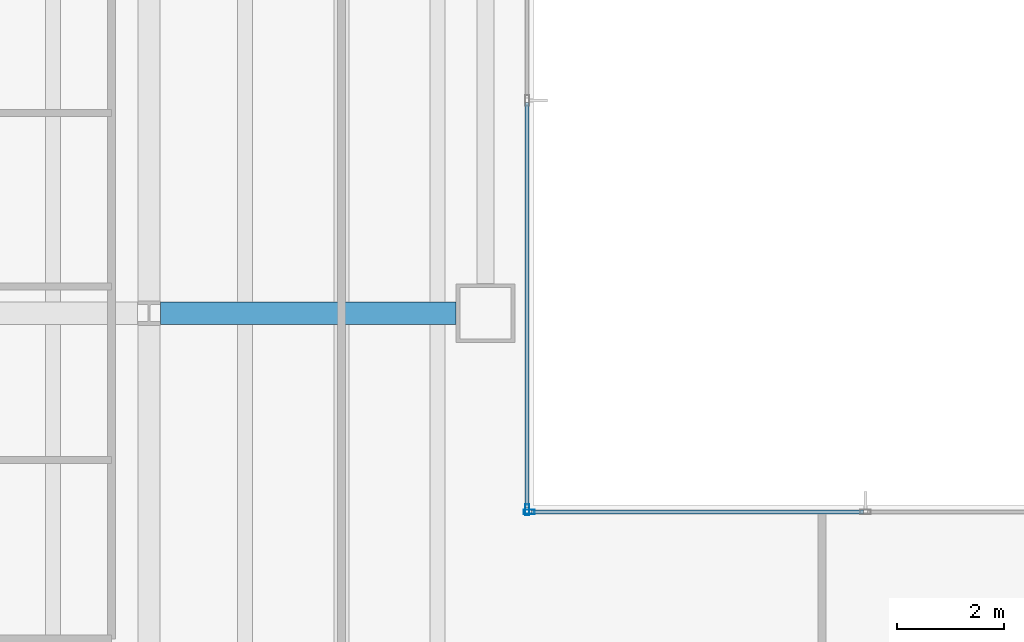
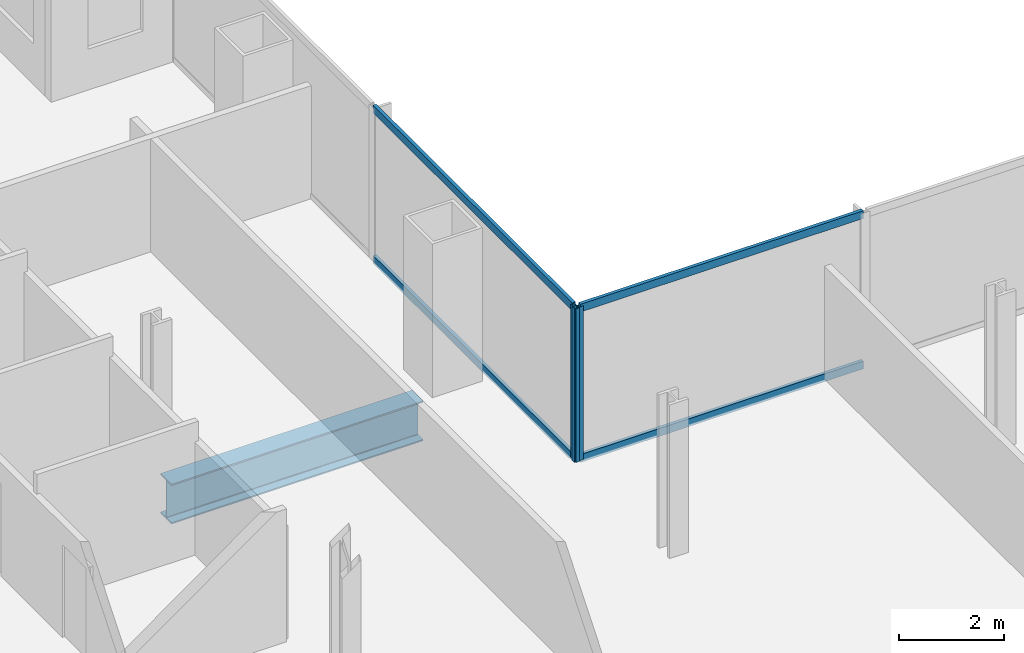
# One storey, part 6 of 25: 6 members, 1 beam, 2 elements without a shape of their own.
"""IFC4 building model written with IfcOpenShell, lengths in metres."""

import ifcopenshell
import ifcopenshell.guid

model = None  # the IFC model being written
_history = None  # IfcOwnerHistory: only IFC2X3 demands one
_inside = {}  # id of a spatial element -> (the spatial element, [elements in it])
_under = {}  # id of a project, library or spatial element -> (it, [spatial elements below it])
_declared = {}  # id of a project -> (the project, [libraries it declares])
_typed = {}  # id of a type object -> (the type object, [elements of that type])
_made_of = {}  # id of a material, layer set ... -> (it, [elements and type objects made of it])


def new_model(schema):
    """Start an empty IFC model of exactly this schema.

    Asked for "IFC4X3", IfcOpenShell would pick the latest addendum, in which some entities
    have other attributes; the version numbers below select the first issue.
    IFC2X3 requires an IfcOwnerHistory on every rooted entity: one is made here for all.
    """
    global model, _history
    if schema == "IFC4X3":
        model = ifcopenshell.file(schema_version=(4, 3, 0, 0))
    else:
        model = ifcopenshell.file(schema=schema)
    _inside.clear()
    _under.clear()
    _declared.clear()
    _typed.clear()
    _made_of.clear()
    _history = None
    if model.schema == "IFC2X3":
        org = make("IfcOrganization", Name="unknown")
        user = make(
            "IfcPersonAndOrganization",
            ThePerson=make("IfcPerson", FamilyName="unknown"),
            TheOrganization=org,
        )
        app = make(
            "IfcApplication",
            ApplicationDeveloper=org,
            Version="unknown",
            ApplicationFullName="unknown",
            ApplicationIdentifier="unknown",
        )
        _history = make(
            "IfcOwnerHistory",
            OwningUser=user,
            OwningApplication=app,
            ChangeAction="ADDED",
            CreationDate=0,
        )
    return model


def make(cls, **values):
    """One entity of the class cls with the attributes given. An attribute that is None is left unset."""
    return model.create_entity(
        cls, **{name: value for name, value in values.items() if value is not None}
    )


def rooted(cls, **values):
    """An entity with a GlobalId (a new one), such as an element, a storey or a relation."""
    return make(cls, GlobalId=ifcopenshell.guid.new(), OwnerHistory=_history, **values)


def si_unit(unit_type, name, prefix=None):
    """IfcSIUnit, for example si_unit("LENGTHUNIT", "METRE", prefix="MILLI")."""
    return make("IfcSIUnit", UnitType=unit_type, Prefix=prefix, Name=name)


def assignment(units):
    """IfcUnitAssignment: the units of a project."""
    return None if units is None else make("IfcUnitAssignment", Units=units)


def point(xyz):
    """IfcCartesianPoint."""
    return None if xyz is None else make("IfcCartesianPoint", Coordinates=xyz)


def direction(xyz):
    """IfcDirection."""
    return None if xyz is None else make("IfcDirection", DirectionRatios=xyz)


def frame(location, z_axis=None, x_axis=None):
    """IfcAxis2Placement3D, a coordinate frame: its origin and axes. An axis left out is left unset."""
    return make(
        "IfcAxis2Placement3D",
        Location=point(location),
        Axis=direction(z_axis),
        RefDirection=direction(x_axis),
    )


def frame_2d(location, x_axis=None):
    """IfcAxis2Placement2D, a coordinate frame in the plane: its origin and x axis."""
    return make(
        "IfcAxis2Placement2D", Location=point(location), RefDirection=direction(x_axis)
    )


def origin():
    """The frame at (0, 0, 0) with its axes left unset."""
    return frame((0.0, 0.0, 0.0))


def origin_2d():
    """The frame at (0, 0) in the plane with its x axis left unset."""
    return frame_2d((0.0, 0.0))


def place(relative_to, where):
    """IfcLocalPlacement: puts the frame where relative to a parent placement (None: the world)."""
    return make(
        "IfcLocalPlacement", PlacementRelTo=relative_to, RelativePlacement=where
    )


def context(
    kind, dimensions, precision=None, world=None, true_north=None, identifier=None
):
    """IfcGeometricRepresentationContext, for example the 3D "Model" context."""
    return make(
        "IfcGeometricRepresentationContext",
        ContextIdentifier=identifier,
        ContextType=kind,
        CoordinateSpaceDimension=dimensions,
        Precision=precision,
        WorldCoordinateSystem=world,
        TrueNorth=true_north,
    )


def subcontext(parent, identifier, kind, view, scale=None):
    """IfcGeometricRepresentationSubContext, for example "Body" below "Model"."""
    return make(
        "IfcGeometricRepresentationSubContext",
        ContextIdentifier=identifier,
        ContextType=kind,
        ParentContext=parent,
        TargetScale=scale,
        TargetView=view,
    )


def project(units=None, contexts=None):
    """IfcProject with its units and contexts."""
    return rooted(
        "IfcProject",
        Name="project",
        RepresentationContexts=contexts,
        UnitsInContext=assignment(units),
    )


def spatial(cls, under=None, at=None, **own):
    """A site, building, storey or space (cls), placed at a placement, below another one or the project."""
    s = rooted(cls, ObjectPlacement=at, **own)
    if under is not None:
        _under.setdefault(under.id(), (under, []))[1].append(s)
    return s


def profile(cls, at=None, kind="AREA", **sizes):
    """A parametric profile (cls). Its sizes go by their IFC names, for example OverallWidth=200.0."""
    return make(cls, ProfileType=kind, Position=at, **sizes)


def hollow_rectangle(**sizes):
    """IfcRectangleHollowProfileDef."""
    return profile("IfcRectangleHollowProfileDef", **sizes)


def i_section(**sizes):
    """IfcIShapeProfileDef."""
    return profile("IfcIShapeProfileDef", **sizes)


def extrude(swept, where, along, depth):
    """IfcExtrudedAreaSolid: the profile swept, set in the frame where, extruded along a direction by depth."""
    return make(
        "IfcExtrudedAreaSolid",
        SweptArea=swept,
        Position=where,
        ExtrudedDirection=direction(along),
        Depth=depth,
    )


def shape(context_of_items, identifier, shape_type, items):
    """IfcShapeRepresentation: the items that make up one representation, for example the "Body"."""
    return make(
        "IfcShapeRepresentation",
        ContextOfItems=context_of_items,
        RepresentationIdentifier=identifier,
        RepresentationType=shape_type,
        Items=items,
    )


def material(Name=None, Category=None):
    """IfcMaterial."""
    return make("IfcMaterial", Name=Name, Category=Category)


def material_profile(
    of_material, cross_section, Name=None, Category=None, Priority=None
):
    """IfcMaterialProfile: a cross section and its material."""
    return make(
        "IfcMaterialProfile",
        Name=Name,
        Material=of_material,
        Profile=cross_section,
        Priority=Priority,
        Category=Category,
    )


def profile_set(profiles, Name=None, composite=None):
    """IfcMaterialProfileSet."""
    return make(
        "IfcMaterialProfileSet",
        Name=Name,
        MaterialProfiles=profiles,
        CompositeProfile=composite,
    )


def made_of(thing, what):
    """Note that an element or type object is made of a material, layer set ...; save() writes the relation."""
    if what is not None:
        _made_of.setdefault(what.id(), (what, []))[1].append(thing)
    return thing


def type_object(cls, material=None, **own):
    """A type object (cls), such as IfcWallType, which elements share."""
    return made_of(rooted(cls, **own), material)


def element(
    cls,
    number,
    at=None,
    inside=None,
    cuts=None,
    type_object=None,
    material=None,
    context=None,
    identifier="Body",
    shape_type=None,
    held_by="IfcProductDefinitionShape",
    body=None,
    shapes=None,
    **own,
):
    """One element of the class cls, such as IfcWall. Its Tag is "e" and its number.

    at: its placement. inside: the storey or other place that contains it. cuts: it is an
    opening in that element (IfcRelVoidsElement). A single representation is given by context,
    identifier, shape_type and body (its items); several are given by shapes. held_by: the class
    of the entity that holds the representations. save() writes the other relations.
    """
    e = rooted(cls, Tag="e%d" % number, ObjectPlacement=at, **own)
    if body is not None:
        shapes = [shape(context, identifier, shape_type, body)]
    if shapes is not None:
        e.Representation = make(held_by, Representations=shapes)
    if inside is not None:
        _inside.setdefault(inside.id(), (inside, []))[1].append(e)
    if cuts is not None:
        rooted(
            "IfcRelVoidsElement", RelatingBuildingElement=cuts, RelatedOpeningElement=e
        )
    if type_object is not None:
        _typed.setdefault(type_object.id(), (type_object, []))[1].append(e)
    return made_of(e, material)


def aggregate(whole, parts):
    """IfcRelAggregates: a whole, such as a stair, and the parts it consists of."""
    return rooted("IfcRelAggregates", RelatingObject=whole, RelatedObjects=parts)


def save(model, path):
    """Write the relations noted so far, then the file.

    IfcRelAggregates (storeys below a building ...), IfcRelContainedInSpatialStructure (elements
    in a storey), IfcRelDefinesByType, IfcRelAssociatesMaterial and IfcRelDeclares: one each for
    every whole, place, type object, material and project.
    """
    for whole, parts in _under.values():
        aggregate(whole, parts)
    for where, things in _inside.values():
        rooted(
            "IfcRelContainedInSpatialStructure",
            RelatedElements=things,
            RelatingStructure=where,
        )
    for kind, things in _typed.values():
        rooted("IfcRelDefinesByType", RelatedObjects=things, RelatingType=kind)
    for what, things in _made_of.values():
        rooted("IfcRelAssociatesMaterial", RelatedObjects=things, RelatingMaterial=what)
    for by, libraries in _declared.values():
        rooted("IfcRelDeclares", RelatingContext=by, RelatedDefinitions=libraries)
    model.write(path)


model = new_model("IFC4")

# Units and contexts
model_context = context("Model", 3, precision=1e-05, world=origin(), true_north=direction((0.0, 1.0)))
body_context = subcontext(model_context, "Body", "Model", "MODEL_VIEW")
ifc_project = project(units=[si_unit("LENGTHUNIT", "METRE"), si_unit("AREAUNIT", "SQUARE_METRE"), si_unit("VOLUMEUNIT", "CUBIC_METRE"), si_unit("PLANEANGLEUNIT", "RADIAN"), si_unit("MASSUNIT", "GRAM", prefix="KILO")], contexts=[model_context])

# Site, building, storey
site_placement = place(None, origin())
site = spatial("IfcSite", under=ifc_project, at=site_placement, CompositionType="ELEMENT")
building_placement = place(site_placement, origin())
building = spatial("IfcBuilding", under=site, at=building_placement, Name="Cobrela Telecom Tower", CompositionType="ELEMENT")
storey_placement = place(building_placement, frame((0.0, 0.0, 35.0)))
storey = spatial("IfcBuildingStorey", under=building, at=storey_placement, Name="L08", CompositionType="ELEMENT", Elevation=35.0)

# Beam
ifc_material_1 = material(Name="Steel ASTM A992 Grade 50", Category="steel")
ifc_material_profile_1 = material_profile(ifc_material_1, i_section(OverallWidth=0.4189453125, OverallDepth=0.927001953125, WebThickness=0.019287109375, FlangeThickness=0.031982421875, FilletRadius=0.02392578125, at=origin_2d()), Name="W36X231")
ifc_profile_set_1 = profile_set([ifc_material_profile_1], Name="Steel ASTM A992 Grade 50")
beam_type = type_object("IfcBeamType", Name="BM-GIRD-02", PredefinedType="USERDEFINED", material=ifc_profile_set_1)
beam_placement = place(storey_placement, frame((21.81591796875, 28.800048828125, -0.743408203125), z_axis=(1.0, 0.0, 0.0), x_axis=(0.0, 1.0, 0.0)))
element("IfcBeam", 1, at=beam_placement, inside=storey, type_object=beam_type, Name="L08 Primary Girder X24", ObjectType="GIRDER", PredefinedType="USERDEFINED", context=body_context, shape_type="SweptSolid", body=[
    extrude(i_section(OverallWidth=0.4189453125, OverallDepth=0.927001953125, WebThickness=0.019287109375, FlangeThickness=0.031982421875, FilletRadius=0.02392578125, at=origin_2d()), origin(), (0.0, 0.0, 1.0), 5.529052734375),
])

# Curtain wall, member
ifc_material_2 = material(Name="Anodized Bronze Aluminium 6063-T6", Category="aluminium")
curtain_wall_type = type_object("IfcCurtainWallType", Name="CW-SYS-DATA", PredefinedType="USERDEFINED", material=ifc_material_2)
curtain_wall_1_placement = place(storey_placement, origin())
curtain_wall_1 = element("IfcCurtainWall", 2, at=curtain_wall_1_placement, inside=storey, type_object=curtain_wall_type, Name="L08 Unitised Bronze Curtain Wall 10", ObjectType="UNITISED CURTAIN WALL", PredefinedType="USERDEFINED")
ifc_material_profile_2 = material_profile(ifc_material_2, hollow_rectangle(XDim=0.080078125, YDim=0.199951171875, WallThickness=0.00390625, at=origin_2d()), Name="ALU 80x200x4")
ifc_profile_set_2 = profile_set([ifc_material_profile_2], Name="Anodized Bronze Aluminium 6063-T6")
member_type_1 = type_object("IfcMemberType", Name="CW-SYS-DATA-MUL", PredefinedType="MULLION", material=ifc_profile_set_2)
member_1_placement = place(storey_placement, frame((28.679931640625, 25.1201171875, 0.0), z_axis=(0.0, 0.0, 1.0), x_axis=(1.0, 0.0, 0.0)))
member_1 = element("IfcMember", 3, at=member_1_placement, type_object=member_type_1, Name="CW-DATA mullion 3", PredefinedType="MULLION", context=body_context, shape_type="SweptSolid", body=[
    extrude(hollow_rectangle(XDim=0.080078125, YDim=0.199951171875, WallThickness=0.00390625, at=origin_2d()), origin(), (0.0, 0.0, 1.0), 3.570068359375),
])

curtain_wall_2_placement = place(storey_placement, origin())
curtain_wall_2 = element("IfcCurtainWall", 4, at=curtain_wall_2_placement, inside=storey, type_object=curtain_wall_type, Name="L08 Unitised Bronze Curtain Wall 11", ObjectType="UNITISED CURTAIN WALL", PredefinedType="USERDEFINED")
member_2_placement = place(storey_placement, frame((28.719970703125, 25.080078125, 0.0), z_axis=(0.0, 0.0, 1.0), x_axis=(0.0, 1.0, 0.0)))
member_2 = element("IfcMember", 5, at=member_2_placement, type_object=member_type_1, Name="CW-DATA mullion 1", PredefinedType="MULLION", context=body_context, shape_type="SweptSolid", body=[
    extrude(hollow_rectangle(XDim=0.080078125, YDim=0.199951171875, WallThickness=0.00390625, at=origin_2d()), origin(), (0.0, 0.0, 1.0), 3.570068359375),
])

# Member
ifc_material_profile_3 = material_profile(ifc_material_2, hollow_rectangle(XDim=0.074951171875, YDim=0.179931640625, WallThickness=0.00390625, at=origin_2d()), Name="ALU 75x180x4")
ifc_profile_set_3 = profile_set([ifc_material_profile_3], Name="Anodized Bronze Aluminium 6063-T6")
member_type_2 = type_object("IfcMemberType", Name="CW-SYS-DATA-TRN", PredefinedType="USERDEFINED", material=ifc_profile_set_3)
member_3_placement = place(storey_placement, frame((28.679931640625, 32.7451171875, 0.03759765625), z_axis=(0.0, -1.0, 0.0), x_axis=(1.0, 0.0, 0.0)))
member_3 = element("IfcMember", 6, at=member_3_placement, type_object=member_type_2, Name="CW-DATA transom 2.1", ObjectType="TRANSOM", PredefinedType="USERDEFINED", context=body_context, shape_type="SweptSolid", body=[
    extrude(hollow_rectangle(XDim=0.074951171875, YDim=0.179931640625, WallThickness=0.00390625, at=origin_2d()), origin(), (0.0, 0.0, 1.0), 7.585205078125),
])

member_4_placement = place(storey_placement, frame((28.679931640625, 32.7451171875, 3.532470703125), z_axis=(0.0, -1.0, 0.0), x_axis=(1.0, 0.0, 0.0)))
member_4 = element("IfcMember", 7, at=member_4_placement, type_object=member_type_2, Name="CW-DATA transom 2.2", ObjectType="TRANSOM", PredefinedType="USERDEFINED", context=body_context, shape_type="SweptSolid", body=[
    extrude(hollow_rectangle(XDim=0.074951171875, YDim=0.179931640625, WallThickness=0.00390625, at=origin_2d()), origin(), (0.0, 0.0, 1.0), 7.585205078125),
])

aggregate(curtain_wall_1, [member_1, member_3, member_4])

member_5_placement = place(storey_placement, frame((28.760009765625, 25.080078125, 0.03759765625), z_axis=(1.0, 0.0, 0.0), x_axis=(0.0, 1.0, 0.0)))
member_5 = element("IfcMember", 8, at=member_5_placement, type_object=member_type_2, Name="CW-DATA transom 1.1", ObjectType="TRANSOM", PredefinedType="USERDEFINED", context=body_context, shape_type="SweptSolid", body=[
    extrude(hollow_rectangle(XDim=0.074951171875, YDim=0.179931640625, WallThickness=0.00390625, at=origin_2d()), origin(), (0.0, 0.0, 1.0), 6.216552734375),
])

member_6_placement = place(storey_placement, frame((28.760009765625, 25.080078125, 3.532470703125), z_axis=(1.0, 0.0, 0.0), x_axis=(0.0, 1.0, 0.0)))
member_6 = element("IfcMember", 9, at=member_6_placement, type_object=member_type_2, Name="CW-DATA transom 1.2", ObjectType="TRANSOM", PredefinedType="USERDEFINED", context=body_context, shape_type="SweptSolid", body=[
    extrude(hollow_rectangle(XDim=0.074951171875, YDim=0.179931640625, WallThickness=0.00390625, at=origin_2d()), origin(), (0.0, 0.0, 1.0), 6.216552734375),
])

aggregate(curtain_wall_2, [member_2, member_5, member_6])

save(model, "model.ifc")
